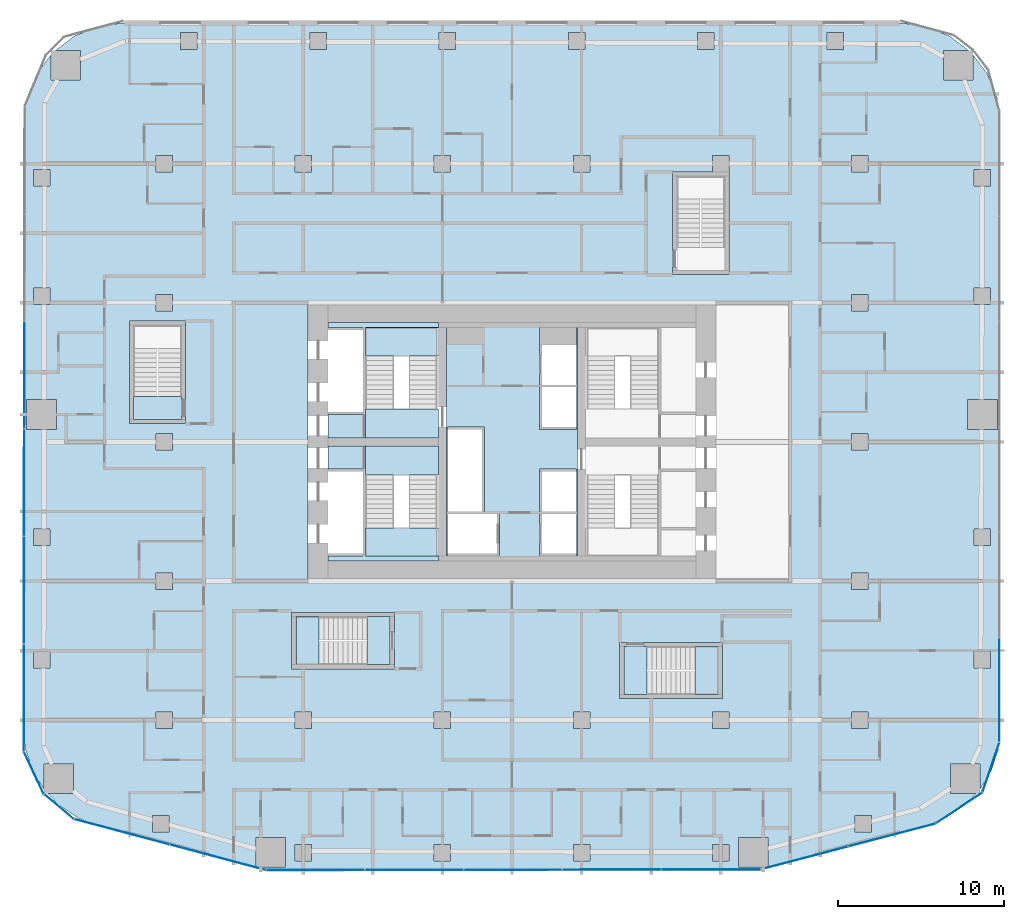
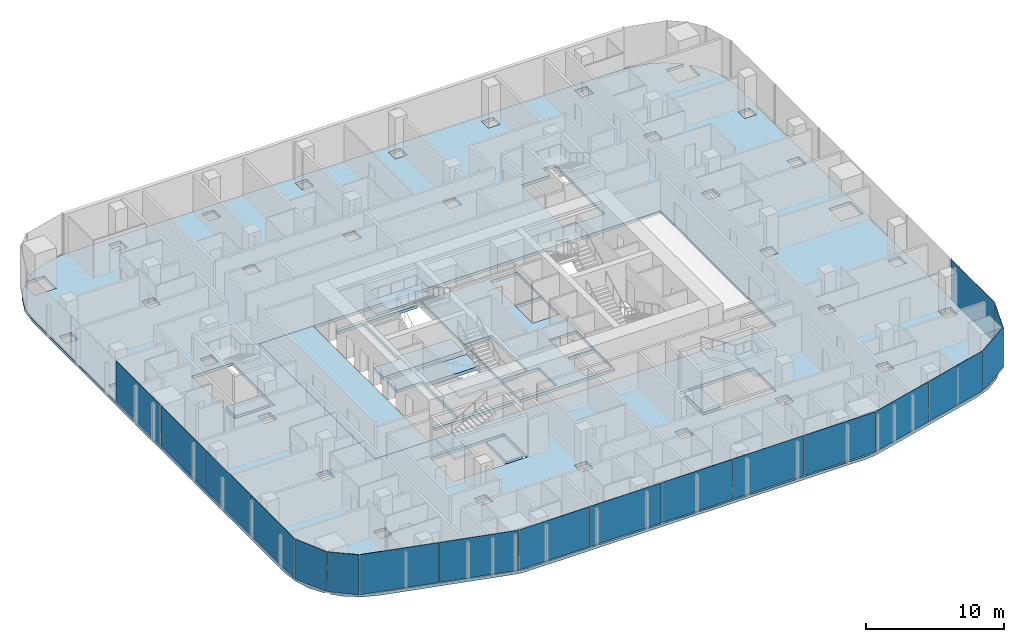
# One storey, part 14 of 26: 18 plates, 14 slabs, 13 elements without a shape of their own.
"""IFC4 building model written with IfcOpenShell, lengths in metres."""

from ifc_helpers import new_model, si_unit, direction, frame, origin, origin_2d, place, context, subcontext, project, spatial, polyline, rectangle, outline, extrude, material, layer, layer_set, type_object, element, aggregate, save


model = new_model("IFC4")

# Units and contexts
model_context = context("Model", 3, precision=1e-05, world=origin(), true_north=direction((0.0, 1.0)))
body_context = subcontext(model_context, "Body", "Model", "MODEL_VIEW")
ifc_project = project(units=[si_unit("LENGTHUNIT", "METRE"), si_unit("AREAUNIT", "SQUARE_METRE"), si_unit("VOLUMEUNIT", "CUBIC_METRE"), si_unit("PLANEANGLEUNIT", "RADIAN"), si_unit("MASSUNIT", "GRAM", prefix="KILO")], contexts=[model_context])

# Site, building, storey
site_placement = place(None, origin())
site = spatial("IfcSite", under=ifc_project, at=site_placement, CompositionType="ELEMENT")
building_placement = place(site_placement, origin())
building = spatial("IfcBuilding", under=site, at=building_placement, Name="Marenta Gate Hotel Tower", CompositionType="ELEMENT")
storey_placement = place(building_placement, frame((0.0, 0.0, 43.699951171875)))
storey = spatial("IfcBuildingStorey", under=building, at=storey_placement, Name="L08", CompositionType="ELEMENT", Elevation=43.699951171875)

# Slabs
ifc_material_1 = material(Name="Concrete C35", Category="concrete")
ifc_layer_1 = layer(ifc_material_1, 0.260009765625)
ifc_layer_set_1 = layer_set([ifc_layer_1], Name="Concrete C35")
slab_type_1 = type_object("IfcSlabType", Name="Concrete floor slab 260", PredefinedType="FLOOR", material=ifc_layer_set_1)
slab_1_placement = place(storey_placement, frame((0.0, 0.0, -0.260009765625)))
element("IfcSlab", 1, at=slab_1_placement, inside=storey, type_object=slab_type_1, Name="L08-SL-1", PredefinedType="FLOOR", context=body_context, shape_type="SweptSolid", body=[
    extrude(outline(polyline([(-27.313720703125, -13.56396484375), (-28.015625, -12.8330078125), (-26.462890625, -12.8330078125), (-26.462890625, -11.032958984375), (-28.262939453125, -11.032958984375), (-28.262939453125, -12.55859375), (-28.927001953125, -11.467041015625), (-29.35546875, -10.20703125), (-29.5, -8.889892578125), (-29.5, 27.6064453125), (-29.29296875, 29.178955078125), (-28.68359375, 30.650390625), (-27.83544921875, 31.755615234375), (-27.83544921875, 30.235595703125), (-26.035400390625, 30.235595703125), (-26.035400390625, 32.035400390625), (-27.555419921875, 32.035400390625), (-26.450439453125, 32.883544921875), (-24.97900390625, 33.492919921875), (-23.406494140625, 33.699951171875), (23.406494140625, 33.699951171875), (24.97900390625, 33.492919921875), (26.450439453125, 32.883544921875), (27.555419921875, 32.035400390625), (26.035400390625, 32.035400390625), (26.035400390625, 30.235595703125), (27.83544921875, 30.235595703125), (27.83544921875, 31.755615234375), (28.68359375, 30.650390625), (29.29296875, 29.178955078125), (29.5, 27.6064453125), (29.5, -8.889892578125), (29.35546875, -10.20703125), (28.927001953125, -11.467041015625), (28.262939453125, -12.55859375), (28.262939453125, -11.032958984375), (26.462890625, -11.032958984375), (26.462890625, -12.8330078125), (28.015625, -12.8330078125), (27.313720703125, -13.56396484375), (26.205810546875, -14.30126953125), (24.969482421875, -14.77880859375), (15.2265625, -17.36376953125), (14.70849609375, -17.4658203125), (14.181640625, -17.5), (-14.181640625, -17.5), (-14.70849609375, -17.4658203125), (-15.2265625, -17.36376953125), (-24.969482421875, -14.77880859375), (-26.205810546875, -14.30126953125), (-27.313720703125, -13.56396484375)]), holes=[polyline([(-16.800048828125, 0.0), (16.800048828125, 0.0), (16.800048828125, 16.800048828125), (-16.800048828125, 16.800048828125), (-16.800048828125, 0.0)]), polyline([(-13.666259765625, -15.474853515625), (-15.46630859375, -15.474853515625), (-15.46630859375, -17.27490234375), (-13.666259765625, -17.27490234375), (-13.666259765625, -15.474853515625)]), polyline([(-20.706787109375, -14.13916015625), (-21.706787109375, -14.13916015625), (-21.706787109375, -15.13916015625), (-20.706787109375, -15.13916015625), (-20.706787109375, -14.13916015625)]), polyline([(-20.5, -8.89990234375), (-20.5, -7.89990234375), (-21.5, -7.89990234375), (-21.5, -8.89990234375), (-20.5, -8.89990234375)]), polyline([(-12.10009765625, -8.89990234375), (-12.10009765625, -7.89990234375), (-13.10009765625, -7.89990234375), (-13.10009765625, -8.89990234375), (-12.10009765625, -8.89990234375)]), polyline([(-27.89990234375, -4.251953125), (-28.89990234375, -4.251953125), (-28.89990234375, -5.251953125), (-27.89990234375, -5.251953125), (-27.89990234375, -4.251953125)]), polyline([(-20.5, -0.5), (-20.5, 0.5), (-21.5, 0.5), (-21.5, -0.5), (-20.5, -0.5)]), polyline([(-27.89990234375, 2.149169921875), (-27.89990234375, 3.149169921875), (-28.89990234375, 3.149169921875), (-28.89990234375, 2.149169921875), (-27.89990234375, 2.149169921875)]), polyline([(-20.5, 8.89990234375), (-21.5, 8.89990234375), (-21.5, 7.89990234375), (-20.5, 7.89990234375), (-20.5, 8.89990234375)]), polyline([(-27.5, 9.14990234375), (-27.5, 10.949951171875), (-29.300048828125, 10.949951171875), (-29.300048828125, 9.14990234375), (-27.5, 9.14990234375)]), polyline([(-20.5, 16.300048828125), (-20.5, 17.300048828125), (-21.5, 17.300048828125), (-21.5, 16.300048828125), (-20.5, 16.300048828125)]), polyline([(-27.89990234375, 17.703125), (-28.89990234375, 17.703125), (-28.89990234375, 16.703125), (-27.89990234375, 16.703125), (-27.89990234375, 17.703125)]), polyline([(-27.89990234375, 23.8564453125), (-27.89990234375, 24.8564453125), (-28.89990234375, 24.8564453125), (-28.89990234375, 23.8564453125), (-27.89990234375, 23.8564453125)]), polyline([(-20.5, 24.699951171875), (-20.5, 25.699951171875), (-21.5, 25.699951171875), (-21.5, 24.699951171875), (-20.5, 24.699951171875)]), polyline([(-19.0068359375, 32.10009765625), (-19.0068359375, 33.10009765625), (-20.0068359375, 33.10009765625), (-20.0068359375, 32.10009765625), (-19.0068359375, 32.10009765625)]), polyline([(-12.10009765625, -16.89990234375), (-12.10009765625, -15.89990234375), (-13.10009765625, -15.89990234375), (-13.10009765625, -16.89990234375), (-12.10009765625, -16.89990234375)]), polyline([(-3.699951171875, -15.89990234375), (-4.699951171875, -15.89990234375), (-4.699951171875, -16.89990234375), (-3.699951171875, -16.89990234375), (-3.699951171875, -15.89990234375)]), polyline([(4.699951171875, -16.89990234375), (4.699951171875, -15.89990234375), (3.699951171875, -15.89990234375), (3.699951171875, -16.89990234375), (4.699951171875, -16.89990234375)]), polyline([(13.10009765625, -16.89990234375), (13.10009765625, -15.89990234375), (12.10009765625, -15.89990234375), (12.10009765625, -16.89990234375), (13.10009765625, -16.89990234375)]), polyline([(15.46630859375, -15.474853515625), (13.666259765625, -15.474853515625), (13.666259765625, -17.27490234375), (15.46630859375, -17.27490234375), (15.46630859375, -15.474853515625)]), polyline([(-3.699951171875, -8.89990234375), (-3.699951171875, -7.89990234375), (-4.699951171875, -7.89990234375), (-4.699951171875, -8.89990234375), (-3.699951171875, -8.89990234375)]), polyline([(4.699951171875, -8.89990234375), (4.699951171875, -7.89990234375), (3.699951171875, -7.89990234375), (3.699951171875, -8.89990234375), (4.699951171875, -8.89990234375)]), polyline([(13.10009765625, -7.89990234375), (12.10009765625, -7.89990234375), (12.10009765625, -8.89990234375), (13.10009765625, -8.89990234375), (13.10009765625, -7.89990234375)]), polyline([(-12.10009765625, 25.699951171875), (-13.10009765625, 25.699951171875), (-13.10009765625, 24.699951171875), (-12.10009765625, 24.699951171875), (-12.10009765625, 25.699951171875)]), polyline([(-3.699951171875, 25.699951171875), (-4.699951171875, 25.699951171875), (-4.699951171875, 24.699951171875), (-3.699951171875, 24.699951171875), (-3.699951171875, 25.699951171875)]), polyline([(4.699951171875, 24.699951171875), (4.699951171875, 25.699951171875), (3.699951171875, 25.699951171875), (3.699951171875, 24.699951171875), (4.699951171875, 24.699951171875)]), polyline([(13.10009765625, 25.699951171875), (12.10009765625, 25.699951171875), (12.10009765625, 24.699951171875), (9.699951171875, 24.699951171875), (9.699951171875, 18.5), (13.10009765625, 18.5), (13.10009765625, 25.699951171875)]), polyline([(-11.2041015625, 33.10009765625), (-12.2041015625, 33.10009765625), (-12.2041015625, 32.10009765625), (-11.2041015625, 32.10009765625), (-11.2041015625, 33.10009765625)]), polyline([(-3.4013671875, 32.10009765625), (-3.4013671875, 33.10009765625), (-4.4013671875, 33.10009765625), (-4.4013671875, 32.10009765625), (-3.4013671875, 32.10009765625)]), polyline([(4.4013671875, 32.10009765625), (4.4013671875, 33.10009765625), (3.4013671875, 33.10009765625), (3.4013671875, 32.10009765625), (4.4013671875, 32.10009765625)]), polyline([(12.2041015625, 33.10009765625), (11.2041015625, 33.10009765625), (11.2041015625, 32.10009765625), (12.2041015625, 32.10009765625), (12.2041015625, 33.10009765625)]), polyline([(21.706787109375, -15.13916015625), (21.706787109375, -14.13916015625), (20.706787109375, -14.13916015625), (20.706787109375, -15.13916015625), (21.706787109375, -15.13916015625)]), polyline([(21.5, -7.89990234375), (20.5, -7.89990234375), (20.5, -8.89990234375), (21.5, -8.89990234375), (21.5, -7.89990234375)]), polyline([(28.89990234375, -5.251953125), (28.89990234375, -4.251953125), (27.89990234375, -4.251953125), (27.89990234375, -5.251953125), (28.89990234375, -5.251953125)]), polyline([(21.5, -0.5), (21.5, 0.5), (20.5, 0.5), (20.5, -0.5), (21.5, -0.5)]), polyline([(28.89990234375, 3.149169921875), (27.89990234375, 3.149169921875), (27.89990234375, 2.149169921875), (28.89990234375, 2.149169921875), (28.89990234375, 3.149169921875)]), polyline([(21.5, 7.89990234375), (21.5, 8.89990234375), (20.5, 8.89990234375), (20.5, 7.89990234375), (21.5, 7.89990234375)]), polyline([(29.300048828125, 9.14990234375), (29.300048828125, 10.949951171875), (27.5, 10.949951171875), (27.5, 9.14990234375), (29.300048828125, 9.14990234375)]), polyline([(21.5, 17.300048828125), (20.5, 17.300048828125), (20.5, 16.300048828125), (21.5, 16.300048828125), (21.5, 17.300048828125)]), polyline([(28.89990234375, 16.703125), (28.89990234375, 17.703125), (27.89990234375, 17.703125), (27.89990234375, 16.703125), (28.89990234375, 16.703125)]), polyline([(28.89990234375, 23.8564453125), (28.89990234375, 24.8564453125), (27.89990234375, 24.8564453125), (27.89990234375, 23.8564453125), (28.89990234375, 23.8564453125)]), polyline([(21.5, 25.699951171875), (20.5, 25.699951171875), (20.5, 24.699951171875), (21.5, 24.699951171875), (21.5, 25.699951171875)]), polyline([(20.0068359375, 32.10009765625), (20.0068359375, 33.10009765625), (19.0068359375, 33.10009765625), (19.0068359375, 32.10009765625), (20.0068359375, 32.10009765625)]), polyline([(6.5, -7.10009765625), (12.699951171875, -7.10009765625), (12.699951171875, -3.699951171875), (6.5, -3.699951171875), (6.5, -7.10009765625)]), polyline([(-13.300048828125, -5.300048828125), (-7.10009765625, -5.300048828125), (-7.10009765625, -1.89990234375), (-13.300048828125, -1.89990234375), (-13.300048828125, -5.300048828125)]), polyline([(-23.10009765625, 9.5), (-19.699951171875, 9.5), (-19.699951171875, 15.699951171875), (-23.10009765625, 15.699951171875), (-23.10009765625, 9.5)])]), origin(), (0.0, 0.0, 1.0), 0.260009765625),
])
ifc_material_2 = material(Name="Concrete C40", Category="concrete")
ifc_layer_2 = layer(ifc_material_2, 0.260009765625)
ifc_layer_set_2 = layer_set([ifc_layer_2], Name="Concrete C40")
slab_type_2 = type_object("IfcSlabType", Name="Core floor slab 260", PredefinedType="FLOOR", material=ifc_layer_set_2)
slab_2_placement = place(storey_placement, frame((0.0, 0.0, -0.260009765625)))
element("IfcSlab", 2, at=slab_2_placement, inside=storey, type_object=slab_type_2, Name="L08-CF-4", PredefinedType="FLOOR", context=body_context, shape_type="SweptSolid", body=[
    extrude(outline(polyline([(3.949951171875, 15.300048828125), (3.949951171875, 10.39990234375), (3.949951171875, 6.39990234375), (3.949951171875, 1.5), (3.949951171875, 1.199951171875), (-3.949951171875, 1.199951171875), (-3.949951171875, 1.5), (-3.949951171875, 6.39990234375), (-3.949951171875, 10.39990234375), (-3.949951171875, 15.300048828125), (-3.949951171875, 15.60009765625), (3.949951171875, 15.60009765625), (3.949951171875, 15.300048828125)]), holes=[polyline([(1.64990234375, 4.050048828125), (1.64990234375, 1.64990234375), (1.64990234375, 1.5), (3.89990234375, 1.5), (3.89990234375, 1.64990234375), (3.89990234375, 4.050048828125), (1.800048828125, 4.050048828125), (1.64990234375, 4.050048828125)]), polyline([(1.64990234375, 9.14990234375), (3.89990234375, 9.14990234375), (3.89990234375, 9.300048828125), (3.89990234375, 11.699951171875), (1.800048828125, 11.699951171875), (1.64990234375, 11.699951171875), (1.64990234375, 9.300048828125), (1.64990234375, 9.14990234375)]), polyline([(1.64990234375, 11.85009765625), (1.800048828125, 11.85009765625), (3.89990234375, 11.85009765625), (3.89990234375, 14.25), (3.89990234375, 15.300048828125), (1.64990234375, 15.300048828125), (1.64990234375, 14.25), (1.64990234375, 11.85009765625)]), polyline([(3.89990234375, 6.60009765625), (3.89990234375, 6.75), (1.64990234375, 6.75), (1.64990234375, 6.60009765625), (1.64990234375, 4.199951171875), (1.800048828125, 4.199951171875), (3.89990234375, 4.199951171875), (3.89990234375, 6.60009765625)]), polyline([(-3.89990234375, 1.5), (-0.89990234375, 1.5), (-0.75, 1.5), (-0.75, 4.050048828125), (-0.89990234375, 4.050048828125), (-3.89990234375, 4.050048828125), (-3.89990234375, 1.64990234375), (-3.89990234375, 1.5)]), polyline([(-1.64990234375, 4.199951171875), (-1.64990234375, 9.14990234375), (-1.64990234375, 9.300048828125), (-3.89990234375, 9.300048828125), (-3.89990234375, 9.14990234375), (-3.89990234375, 6.75), (-3.89990234375, 6.60009765625), (-3.89990234375, 4.199951171875), (-1.800048828125, 4.199951171875), (-1.64990234375, 4.199951171875)])]), origin(), (0.0, 0.0, 1.0), 0.260009765625),
])
slab_3_placement = place(storey_placement, frame((0.0, 0.0, -0.260009765625)))
element("IfcSlab", 3, at=slab_3_placement, inside=storey, type_object=slab_type_2, Name="L08-CF-5", PredefinedType="FLOOR", context=body_context, shape_type="SweptSolid", body=[
    extrude(outline(polyline([(-9.0, 1.5), (-9.0, 1.64990234375), (-9.0, 4.050048828125), (-9.0, 4.199951171875), (-9.0, 6.60009765625), (-9.0, 6.75), (-11.10009765625, 6.75), (-11.10009765625, 8.14990234375), (-8.85009765625, 8.14990234375), (-8.85009765625, 8.10009765625), (-8.85009765625, 6.39990234375), (-8.85009765625, 1.5), (-4.449951171875, 1.5), (-4.449951171875, 1.199951171875), (-11.10009765625, 1.199951171875), (-11.10009765625, 1.5), (-9.0, 1.5)])), origin(), (0.0, 0.0, 1.0), 0.260009765625),
])
slab_4_placement = place(storey_placement, frame((0.0, 0.0, -0.260009765625)))
element("IfcSlab", 4, at=slab_4_placement, inside=storey, type_object=slab_type_2, Name="L08-CF-6", PredefinedType="FLOOR", context=body_context, shape_type="SweptSolid", body=[
    extrude(outline(polyline([(-4.449951171875, 15.300048828125), (-8.85009765625, 15.300048828125), (-8.85009765625, 10.39990234375), (-8.85009765625, 8.699951171875), (-8.85009765625, 8.64990234375), (-11.10009765625, 8.64990234375), (-11.10009765625, 10.050048828125), (-9.0, 10.050048828125), (-9.0, 10.199951171875), (-9.0, 12.60009765625), (-9.0, 12.75), (-9.0, 15.14990234375), (-9.0, 15.300048828125), (-11.10009765625, 15.300048828125), (-11.10009765625, 15.60009765625), (-4.449951171875, 15.60009765625), (-4.449951171875, 15.300048828125)])), origin(), (0.0, 0.0, 1.0), 0.260009765625),
])
slab_5_placement = place(storey_placement, frame((0.0, 0.0, -0.260009765625)))
element("IfcSlab", 5, at=slab_5_placement, inside=storey, type_object=slab_type_2, Name="L08-CF-7", PredefinedType="FLOOR", context=body_context, shape_type="SweptSolid", body=[
    extrude(outline(polyline([(-12.300048828125, 16.800048828125), (-12.300048828125, 0.0), (-16.800048828125, 0.0), (-16.800048828125, 16.800048828125), (-12.300048828125, 16.800048828125)])), origin(), (0.0, 0.0, 1.0), 0.260009765625),
])

# Stair, slab
ifc_material_3 = material(Name="Concrete C40", Category="concrete")
stair_type_1 = type_object("IfcStairType", Name="Core exit stair 1700 wide", PredefinedType="HALF_TURN_STAIR", material=ifc_material_3)
stair_1_placement = place(storey_placement, origin())
stair_1 = element("IfcStair", 6, at=stair_1_placement, inside=storey, type_object=stair_type_1, Name="Exit stair 1", PredefinedType="HALF_TURN_STAIR")
ifc_material_4 = material(Name="Concrete C40", Category="concrete")
ifc_layer_3 = layer(ifc_material_4, 0.199951171875)
ifc_layer_set_3 = layer_set([ifc_layer_3], Name="Concrete C40")
slab_type_3 = type_object("IfcSlabType", Name="Core stair landing 200", PredefinedType="LANDING", material=ifc_layer_set_3)
slab_6_placement = place(storey_placement, frame((0.0, 0.0, 1.60009765625)))
slab_6 = element("IfcSlab", 7, at=slab_6_placement, type_object=slab_type_3, Name="SL-200 ST1 landing 1", PredefinedType="LANDING", context=body_context, shape_type="SweptSolid", body=[
    extrude(outline(polyline([(-8.85009765625, 1.5), (-3.949951171875, 1.5), (-3.949951171875, 3.2099609375), (-8.85009765625, 3.2099609375), (-8.85009765625, 1.5)])), origin(), (0.0, 0.0, 1.0), 0.199951171875),
])
aggregate(stair_1, [slab_6])

stair_2_placement = place(storey_placement, origin())
stair_2 = element("IfcStair", 8, at=stair_2_placement, inside=storey, type_object=stair_type_1, Name="Exit stair 2", PredefinedType="HALF_TURN_STAIR")
slab_7_placement = place(storey_placement, frame((0.0, 0.0, 1.60009765625)))
slab_7 = element("IfcSlab", 9, at=slab_7_placement, type_object=slab_type_3, Name="SL-200 ST2 landing 1", PredefinedType="LANDING", context=body_context, shape_type="SweptSolid", body=[
    extrude(outline(polyline([(-8.85009765625, 13.590087890625), (-3.949951171875, 13.590087890625), (-3.949951171875, 15.300048828125), (-8.85009765625, 15.300048828125), (-8.85009765625, 13.590087890625)])), origin(), (0.0, 0.0, 1.0), 0.199951171875),
])
aggregate(stair_2, [slab_7])

# Curtain wall, plates
ifc_material_5 = material(Name="Tinted insulated glass in bronze anodised frame", Category="glass")
ifc_layer_4 = layer(ifc_material_5, 0.1201171875)
ifc_layer_set_4 = layer_set([ifc_layer_4], Name="Tinted insulated glass in bronze anodised frame")
curtain_wall_type = type_object("IfcCurtainWallType", Name="Tower unitised curtain wall CW1", PredefinedType="NOTDEFINED", material=ifc_layer_set_4)
curtain_wall_1_placement = place(storey_placement, origin())
curtain_wall_1 = element("IfcCurtainWall", 10, at=curtain_wall_1_placement, inside=storey, type_object=curtain_wall_type, Name="CW1 run G03", PredefinedType="NOTDEFINED")
ifc_material_6 = material(Name="Tinted insulated glass", Category="glass")
ifc_layer_5 = layer(ifc_material_6, 0.028076171875)
ifc_layer_set_5 = layer_set([ifc_layer_5], Name="Tinted insulated glass")
plate_type = type_object("IfcPlateType", Name="Glass panel CW1 28 mm tinted insulated unit", PredefinedType="CURTAIN_PANEL", material=ifc_layer_set_5)
plate_1_placement = place(storey_placement, frame((-29.437744140625, 12.440185546875, 0.06005859375), z_axis=(0.0, 0.0, 1.0), x_axis=(-0.00156642217, -0.99999877316, 0.0)))
plate_1 = element("IfcPlate", 11, at=plate_1_placement, type_object=plate_type, Name="CW1 panel 3.1", PredefinedType="CURTAIN_PANEL", context=body_context, shape_type="SweptSolid", body=[
    extrude(rectangle(XDim=6.430419921875, YDim=0.028076171875, at=origin_2d()), origin(), (0.0, 0.0, 1.0), 3.5400390625),
])
plate_2_placement = place(storey_placement, frame((-29.447998046875, 5.949951171875, 0.06005859375), z_axis=(0.0, 0.0, 1.0), x_axis=(-0.00156642217, -0.99999877316, 0.0)))
plate_2 = element("IfcPlate", 12, at=plate_2_placement, type_object=plate_type, Name="CW1 panel 4.1", PredefinedType="CURTAIN_PANEL", context=body_context, shape_type="SweptSolid", body=[
    extrude(rectangle(XDim=6.430419921875, YDim=0.028076171875, at=origin_2d()), origin(), (0.0, 0.0, 1.0), 3.5400390625),
])
plate_3_placement = place(storey_placement, frame((-29.4580078125, -0.54052734375, 0.06005859375), z_axis=(0.0, 0.0, 1.0), x_axis=(-0.00156642217, -0.99999877316, 0.0)))
plate_3 = element("IfcPlate", 13, at=plate_3_placement, type_object=plate_type, Name="CW1 panel 5.1", PredefinedType="CURTAIN_PANEL", context=body_context, shape_type="SweptSolid", body=[
    extrude(rectangle(XDim=6.430419921875, YDim=0.028076171875, at=origin_2d()), origin(), (0.0, 0.0, 1.0), 3.5400390625),
])
plate_4_placement = place(storey_placement, frame((-29.46826171875, -7.0458984375, 0.06005859375), z_axis=(0.0, 0.0, 1.0), x_axis=(-0.00156642217, -0.99999877316, 0.0)))
plate_4 = element("IfcPlate", 14, at=plate_4_placement, type_object=plate_type, Name="CW1 panel 6.1", PredefinedType="CURTAIN_PANEL", context=body_context, shape_type="SweptSolid", body=[
    extrude(rectangle(XDim=6.46044921875, YDim=0.028076171875, at=origin_2d()), origin(), (0.0, 0.0, 1.0), 3.5400390625),
])
aggregate(curtain_wall_1, [plate_1, plate_2, plate_3, plate_4])

# Curtain wall, plate
curtain_wall_2_placement = place(storey_placement, origin())
curtain_wall_2 = element("IfcCurtainWall", 15, at=curtain_wall_2_placement, inside=storey, type_object=curtain_wall_type, Name="CW1 run G04", PredefinedType="NOTDEFINED")
plate_5_placement = place(storey_placement, frame((-28.861083984375, -11.5859375, 0.06005859375), z_axis=(0.0, 0.0, 1.0), x_axis=(0.423341617441, -0.905970129167, 0.0)))
plate_5 = element("IfcPlate", 16, at=plate_5_placement, type_object=plate_type, Name="CW1 panel 1.1", PredefinedType="CURTAIN_PANEL", context=body_context, shape_type="SweptSolid", body=[
    extrude(rectangle(XDim=2.77197265625, YDim=0.028076171875, at=origin_2d()), origin(), (0.0, 0.0, 1.0), 3.5400390625),
])
aggregate(curtain_wall_2, [plate_5])

curtain_wall_3_placement = place(storey_placement, origin())
curtain_wall_3 = element("IfcCurtainWall", 17, at=curtain_wall_3_placement, inside=storey, type_object=curtain_wall_type, Name="CW1 run G05", PredefinedType="NOTDEFINED")
plate_6_placement = place(storey_placement, frame((-27.33984375, -13.623291015625, 0.06005859375), z_axis=(0.0, 0.0, 1.0), x_axis=(0.767113012445, -0.641511984407, 0.0)))
plate_6 = element("IfcPlate", 18, at=plate_6_placement, type_object=plate_type, Name="CW1 panel 1.1", PredefinedType="CURTAIN_PANEL", context=body_context, shape_type="SweptSolid", body=[
    extrude(rectangle(XDim=2.316650390625, YDim=0.028076171875, at=origin_2d()), origin(), (0.0, 0.0, 1.0), 3.5400390625),
])
aggregate(curtain_wall_3, [plate_6])

# Curtain wall, plates
curtain_wall_4_placement = place(storey_placement, origin())
curtain_wall_4 = element("IfcCurtainWall", 19, at=curtain_wall_4_placement, inside=storey, type_object=curtain_wall_type, Name="CW1 run G06", PredefinedType="NOTDEFINED")
plate_7_placement = place(storey_placement, frame((-23.541748046875, -15.140625, 0.06005859375), z_axis=(0.0, 0.0, 1.0), x_axis=(0.966373715782, -0.257141675823, 0.0)))
plate_7 = element("IfcPlate", 20, at=plate_7_placement, type_object=plate_type, Name="CW1 panel 1.1", PredefinedType="CURTAIN_PANEL", context=body_context, shape_type="SweptSolid", body=[
    extrude(rectangle(XDim=5.90185546875, YDim=0.028076171875, at=origin_2d()), origin(), (0.0, 0.0, 1.0), 3.5400390625),
])
plate_8_placement = place(storey_placement, frame((-17.751220703125, -16.681396484375, 0.06005859375), z_axis=(0.0, 0.0, 1.0), x_axis=(0.966373715782, -0.257141675823, 0.0)))
plate_8 = element("IfcPlate", 21, at=plate_8_placement, type_object=plate_type, Name="CW1 panel 2.1", PredefinedType="CURTAIN_PANEL", context=body_context, shape_type="SweptSolid", body=[
    extrude(rectangle(XDim=5.9619140625, YDim=0.028076171875, at=origin_2d()), origin(), (0.0, 0.0, 1.0), 3.5400390625),
])
aggregate(curtain_wall_4, [plate_7, plate_8])

curtain_wall_5_placement = place(storey_placement, origin())
curtain_wall_5 = element("IfcCurtainWall", 22, at=curtain_wall_5_placement, inside=storey, type_object=curtain_wall_type, Name="CW1 run G07", PredefinedType="NOTDEFINED")
plate_9_placement = place(storey_placement, frame((-11.869140625, -17.4443359375, 0.06005859375), z_axis=(0.0, 0.0, 1.0), x_axis=(0.999999324969, 0.001161921639, 0.0)))
plate_9 = element("IfcPlate", 23, at=plate_9_placement, type_object=plate_type, Name="CW1 panel 1.1", PredefinedType="CURTAIN_PANEL", context=body_context, shape_type="SweptSolid", body=[
    extrude(rectangle(XDim=5.8828125, YDim=0.028076171875, at=origin_2d()), origin(), (0.0, 0.0, 1.0), 3.5400390625),
])
plate_10_placement = place(storey_placement, frame((-5.911376953125, -17.4375, 0.06005859375), z_axis=(0.0, 0.0, 1.0), x_axis=(0.999999324969, 0.001161921639, 0.0)))
plate_10 = element("IfcPlate", 24, at=plate_10_placement, type_object=plate_type, Name="CW1 panel 2.1", PredefinedType="CURTAIN_PANEL", context=body_context, shape_type="SweptSolid", body=[
    extrude(rectangle(XDim=5.912841796875, YDim=0.028076171875, at=origin_2d()), origin(), (0.0, 0.0, 1.0), 3.5400390625),
])
plate_11_placement = place(storey_placement, frame((0.0615234375, -17.430419921875, 0.06005859375), z_axis=(0.0, 0.0, 1.0), x_axis=(0.999999324969, 0.001161921639, 0.0)))
plate_11 = element("IfcPlate", 25, at=plate_11_placement, type_object=plate_type, Name="CW1 panel 3.1", PredefinedType="CURTAIN_PANEL", context=body_context, shape_type="SweptSolid", body=[
    extrude(rectangle(XDim=5.912841796875, YDim=0.028076171875, at=origin_2d()), origin(), (0.0, 0.0, 1.0), 3.5400390625),
])
plate_12_placement = place(storey_placement, frame((6.034423828125, -17.423583984375, 0.06005859375), z_axis=(0.0, 0.0, 1.0), x_axis=(0.999999324969, 0.001161921639, 0.0)))
plate_12 = element("IfcPlate", 26, at=plate_12_placement, type_object=plate_type, Name="CW1 panel 4.1", PredefinedType="CURTAIN_PANEL", context=body_context, shape_type="SweptSolid", body=[
    extrude(rectangle(XDim=5.912841796875, YDim=0.028076171875, at=origin_2d()), origin(), (0.0, 0.0, 1.0), 3.5400390625),
])
plate_13_placement = place(storey_placement, frame((12.022216796875, -17.41650390625, 0.06005859375), z_axis=(0.0, 0.0, 1.0), x_axis=(0.999999324969, 0.001161921639, 0.0)))
plate_13 = element("IfcPlate", 27, at=plate_13_placement, type_object=plate_type, Name="CW1 panel 5.1", PredefinedType="CURTAIN_PANEL", context=body_context, shape_type="SweptSolid", body=[
    extrude(rectangle(XDim=5.94287109375, YDim=0.028076171875, at=origin_2d()), origin(), (0.0, 0.0, 1.0), 3.5400390625),
])
aggregate(curtain_wall_5, [plate_9, plate_10, plate_11, plate_12, plate_13])

curtain_wall_6_placement = place(storey_placement, origin())
curtain_wall_6 = element("IfcCurtainWall", 28, at=curtain_wall_6_placement, inside=storey, type_object=curtain_wall_type, Name="CW1 run G08", PredefinedType="NOTDEFINED")
plate_14_placement = place(storey_placement, frame((17.651611328125, -16.717041015625, 0.06005859375), z_axis=(0.0, 0.0, 1.0), x_axis=(0.967368966674, 0.25337182621, 0.0)))
plate_14 = element("IfcPlate", 29, at=plate_14_placement, type_object=plate_type, Name="CW1 panel 1.1", PredefinedType="CURTAIN_PANEL", context=body_context, shape_type="SweptSolid", body=[
    extrude(rectangle(XDim=5.375244140625, YDim=0.028076171875, at=origin_2d()), origin(), (0.0, 0.0, 1.0), 3.5400390625),
])
plate_15_placement = place(storey_placement, frame((22.938720703125, -15.332275390625, 0.06005859375), z_axis=(0.0, 0.0, 1.0), x_axis=(0.967368966674, 0.25337182621, 0.0)))
plate_15 = element("IfcPlate", 30, at=plate_15_placement, type_object=plate_type, Name="CW1 panel 2.1", PredefinedType="CURTAIN_PANEL", context=body_context, shape_type="SweptSolid", body=[
    extrude(rectangle(XDim=5.435302734375, YDim=0.028076171875, at=origin_2d()), origin(), (0.0, 0.0, 1.0), 3.5400390625),
])
aggregate(curtain_wall_6, [plate_14, plate_15])

# Curtain wall, plate
curtain_wall_7_placement = place(storey_placement, origin())
curtain_wall_7 = element("IfcCurtainWall", 31, at=curtain_wall_7_placement, inside=storey, type_object=curtain_wall_type, Name="CW1 run G09", PredefinedType="NOTDEFINED")
plate_16_placement = place(storey_placement, frame((27.006591796875, -13.685791015625, 0.06005859375), z_axis=(0.0, 0.0, 1.0), x_axis=(0.832493824282, 0.554034324326, 0.0)))
plate_16 = element("IfcPlate", 32, at=plate_16_placement, type_object=plate_type, Name="CW1 panel 1.1", PredefinedType="CURTAIN_PANEL", context=body_context, shape_type="SweptSolid", body=[
    extrude(rectangle(XDim=3.33740234375, YDim=0.028076171875, at=origin_2d()), origin(), (0.0, 0.0, 1.0), 3.5400390625),
])
aggregate(curtain_wall_7, [plate_16])

curtain_wall_8_placement = place(storey_placement, origin())
curtain_wall_8 = element("IfcCurtainWall", 33, at=curtain_wall_8_placement, inside=storey, type_object=curtain_wall_type, Name="CW1 run G10", PredefinedType="NOTDEFINED")
plate_17_placement = place(storey_placement, frame((28.91455078125, -11.236328125, 0.06005859375), z_axis=(0.0, 0.0, 1.0), x_axis=(0.322028604337, 0.946729939312, 0.0)))
plate_17 = element("IfcPlate", 34, at=plate_17_placement, type_object=plate_type, Name="CW1 panel 1.1", PredefinedType="CURTAIN_PANEL", context=body_context, shape_type="SweptSolid", body=[
    extrude(rectangle(XDim=3.101806640625, YDim=0.028076171875, at=origin_2d()), origin(), (0.0, 0.0, 1.0), 3.5400390625),
])
aggregate(curtain_wall_8, [plate_17])

curtain_wall_9_placement = place(storey_placement, origin())
curtain_wall_9 = element("IfcCurtainWall", 35, at=curtain_wall_9_placement, inside=storey, type_object=curtain_wall_type, Name="CW1 run G11", PredefinedType="NOTDEFINED")
plate_18_placement = place(storey_placement, frame((29.4140625, -6.572998046875, 0.06005859375), z_axis=(0.0, 0.0, 1.0), x_axis=(0.0, 1.0, 0.0)))
plate_18 = element("IfcPlate", 36, at=plate_18_placement, type_object=plate_type, Name="CW1 panel 1.1", PredefinedType="CURTAIN_PANEL", context=body_context, shape_type="SweptSolid", body=[
    extrude(rectangle(XDim=6.27001953125, YDim=0.028076171875, at=origin_2d()), origin(), (0.0, 0.0, 1.0), 3.5400390625),
])
aggregate(curtain_wall_9, [plate_18])

# Stair, slab
ifc_material_7 = material(Name="Concrete C40", Category="concrete")
stair_type_2 = type_object("IfcStairType", Name="Remote exit stair 1400 wide", PredefinedType="HALF_TURN_STAIR", material=ifc_material_7)
stair_3_placement = place(storey_placement, origin())
stair_3 = element("IfcStair", 37, at=stair_3_placement, inside=storey, type_object=stair_type_2, Name="Exit stair RS-Z1-1", PredefinedType="HALF_TURN_STAIR")
ifc_material_8 = material(Name="Concrete C40", Category="concrete")
ifc_layer_6 = layer(ifc_material_8, 0.199951171875)
ifc_layer_set_6 = layer_set([ifc_layer_6], Name="Concrete C40")
slab_type_4 = type_object("IfcSlabType", Name="Remote stair landing 200", PredefinedType="LANDING", material=ifc_layer_set_6)
slab_8_placement = place(storey_placement, frame((0.0, 0.0, 1.60009765625)))
slab_8 = element("IfcSlab", 38, at=slab_8_placement, type_object=slab_type_4, Name="RL-200 RS-Z1-1 landing 1", PredefinedType="LANDING", context=body_context, shape_type="SweptSolid", body=[
    extrude(outline(polyline([(11.050048828125, -6.85009765625), (12.449951171875, -6.85009765625), (12.449951171875, -3.949951171875), (11.050048828125, -3.949951171875), (11.050048828125, -6.85009765625)])), origin(), (0.0, 0.0, 1.0), 0.199951171875),
])
aggregate(stair_3, [slab_8])

stair_4_placement = place(storey_placement, origin())
stair_4 = element("IfcStair", 39, at=stair_4_placement, inside=storey, type_object=stair_type_2, Name="Exit stair RS-Z1-2", PredefinedType="HALF_TURN_STAIR")
slab_9_placement = place(storey_placement, frame((0.0, 0.0, 1.60009765625)))
slab_9 = element("IfcSlab", 40, at=slab_9_placement, type_object=slab_type_4, Name="RL-200 RS-Z1-2 landing 1", PredefinedType="LANDING", context=body_context, shape_type="SweptSolid", body=[
    extrude(outline(polyline([(-13.050048828125, -5.050048828125), (-11.64990234375, -5.050048828125), (-11.64990234375, -2.14990234375), (-13.050048828125, -2.14990234375), (-13.050048828125, -5.050048828125)])), origin(), (0.0, 0.0, 1.0), 0.199951171875),
])
aggregate(stair_4, [slab_9])

# Slabs
ifc_material_9 = material(Name="Concrete C40", Category="concrete")
ifc_layer_7 = layer(ifc_material_9, 0.300048828125)
ifc_layer_set_7 = layer_set([ifc_layer_7], Name="Concrete C40")
slab_type_5 = type_object("IfcSlabType", Name="Stair floor landing slab 300", PredefinedType="FLOOR", material=ifc_layer_set_7)
slab_10_placement = place(storey_placement, frame((0.0, 0.0, -0.300048828125)))
element("IfcSlab", 41, at=slab_10_placement, inside=storey, type_object=slab_type_5, Name="L08-CL-ST1-1", PredefinedType="FLOOR", context=body_context, shape_type="SweptSolid", body=[
    extrude(outline(polyline([(-4.449951171875, 6.39990234375), (-8.85009765625, 6.39990234375), (-8.85009765625, 8.10009765625), (-8.85009765625, 8.14990234375), (-4.449951171875, 8.14990234375), (-4.449951171875, 6.39990234375)])), origin(), (0.0, 0.0, 1.0), 0.300048828125),
])
slab_11_placement = place(storey_placement, frame((0.0, 0.0, -0.300048828125)))
element("IfcSlab", 42, at=slab_11_placement, inside=storey, type_object=slab_type_5, Name="L08-CL-ST2-1", PredefinedType="FLOOR", context=body_context, shape_type="SweptSolid", body=[
    extrude(outline(polyline([(-4.449951171875, 8.64990234375), (-8.85009765625, 8.64990234375), (-8.85009765625, 8.699951171875), (-8.85009765625, 10.39990234375), (-4.449951171875, 10.39990234375), (-4.449951171875, 8.64990234375)])), origin(), (0.0, 0.0, 1.0), 0.300048828125),
])
slab_12_placement = place(storey_placement, frame((0.0, 0.0, -0.300048828125)))
element("IfcSlab", 43, at=slab_12_placement, inside=storey, type_object=slab_type_5, Name="L08-RS-Z1-1-CL", PredefinedType="FLOOR", context=body_context, shape_type="SweptSolid", body=[
    extrude(outline(polyline([(8.14990234375, -6.85009765625), (8.14990234375, -3.949951171875), (6.75, -3.949951171875), (6.75, -6.85009765625), (8.14990234375, -6.85009765625)])), origin(), (0.0, 0.0, 1.0), 0.300048828125),
])
slab_13_placement = place(storey_placement, frame((0.0, 0.0, -0.300048828125)))
element("IfcSlab", 44, at=slab_13_placement, inside=storey, type_object=slab_type_5, Name="L08-RS-Z1-2-CL", PredefinedType="FLOOR", context=body_context, shape_type="SweptSolid", body=[
    extrude(outline(polyline([(-7.35009765625, -5.050048828125), (-7.35009765625, -2.14990234375), (-8.75, -2.14990234375), (-8.75, -5.050048828125), (-7.35009765625, -5.050048828125)])), origin(), (0.0, 0.0, 1.0), 0.300048828125),
])
slab_14_placement = place(storey_placement, frame((0.0, 0.0, -0.300048828125)))
element("IfcSlab", 45, at=slab_14_placement, inside=storey, type_object=slab_type_5, Name="L08-RS-Z1-3-CL", PredefinedType="FLOOR", context=body_context, shape_type="SweptSolid", body=[
    extrude(outline(polyline([(-19.949951171875, 9.75), (-19.949951171875, 11.14990234375), (-22.85009765625, 11.14990234375), (-22.85009765625, 9.75), (-19.949951171875, 9.75)])), origin(), (0.0, 0.0, 1.0), 0.300048828125),
])

save(model, "model.ifc")
